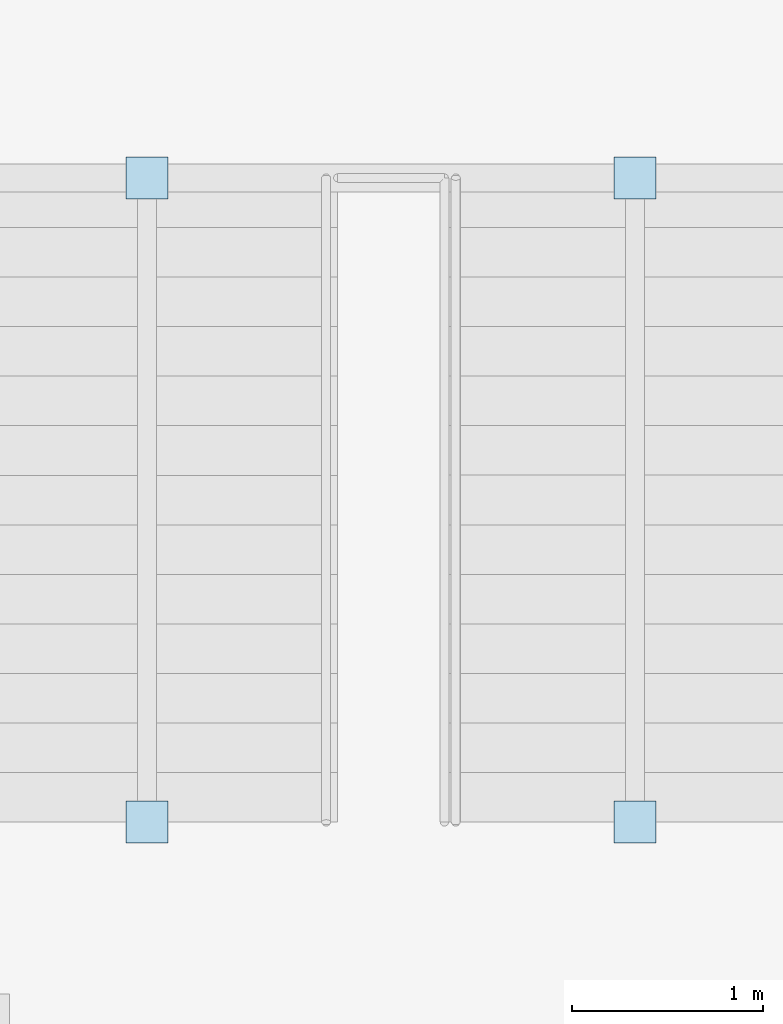
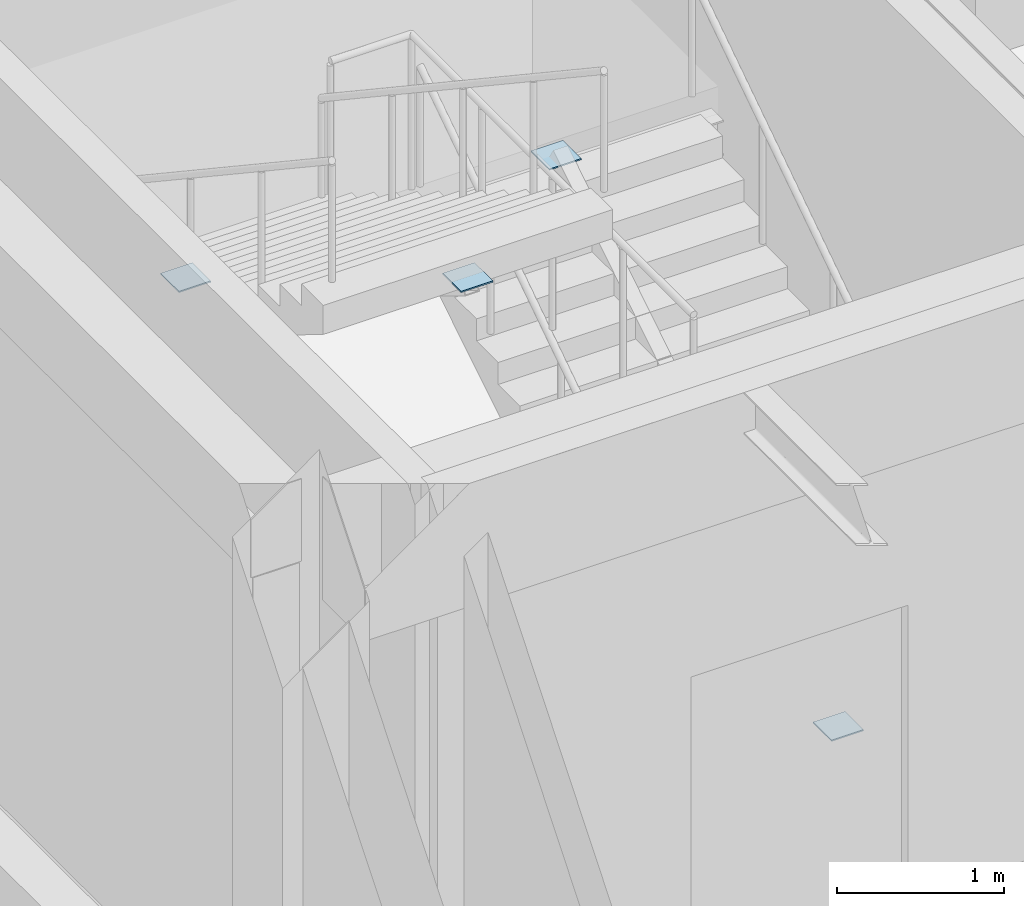
# One storey, part 75 of 93: 4 plates.
"""IFC4 building model written with IfcOpenShell, lengths in metres."""

import ifcopenshell
import ifcopenshell.guid

model = None  # the IFC model being written
_history = None  # IfcOwnerHistory: only IFC2X3 demands one
_inside = {}  # id of a spatial element -> (the spatial element, [elements in it])
_under = {}  # id of a project, library or spatial element -> (it, [spatial elements below it])
_declared = {}  # id of a project -> (the project, [libraries it declares])
_typed = {}  # id of a type object -> (the type object, [elements of that type])
_made_of = {}  # id of a material, layer set ... -> (it, [elements and type objects made of it])


def new_model(schema):
    """Start an empty IFC model of exactly this schema.

    Asked for "IFC4X3", IfcOpenShell would pick the latest addendum, in which some entities
    have other attributes; the version numbers below select the first issue.
    IFC2X3 requires an IfcOwnerHistory on every rooted entity: one is made here for all.
    """
    global model, _history
    if schema == "IFC4X3":
        model = ifcopenshell.file(schema_version=(4, 3, 0, 0))
    else:
        model = ifcopenshell.file(schema=schema)
    _inside.clear()
    _under.clear()
    _declared.clear()
    _typed.clear()
    _made_of.clear()
    _history = None
    if model.schema == "IFC2X3":
        org = make("IfcOrganization", Name="unknown")
        user = make(
            "IfcPersonAndOrganization",
            ThePerson=make("IfcPerson", FamilyName="unknown"),
            TheOrganization=org,
        )
        app = make(
            "IfcApplication",
            ApplicationDeveloper=org,
            Version="unknown",
            ApplicationFullName="unknown",
            ApplicationIdentifier="unknown",
        )
        _history = make(
            "IfcOwnerHistory",
            OwningUser=user,
            OwningApplication=app,
            ChangeAction="ADDED",
            CreationDate=0,
        )
    return model


def make(cls, **values):
    """One entity of the class cls with the attributes given. An attribute that is None is left unset."""
    return model.create_entity(
        cls, **{name: value for name, value in values.items() if value is not None}
    )


def rooted(cls, **values):
    """An entity with a GlobalId (a new one), such as an element, a storey or a relation."""
    return make(cls, GlobalId=ifcopenshell.guid.new(), OwnerHistory=_history, **values)


def si_unit(unit_type, name, prefix=None):
    """IfcSIUnit, for example si_unit("LENGTHUNIT", "METRE", prefix="MILLI")."""
    return make("IfcSIUnit", UnitType=unit_type, Prefix=prefix, Name=name)


def assignment(units):
    """IfcUnitAssignment: the units of a project."""
    return None if units is None else make("IfcUnitAssignment", Units=units)


def point(xyz):
    """IfcCartesianPoint."""
    return None if xyz is None else make("IfcCartesianPoint", Coordinates=xyz)


def direction(xyz):
    """IfcDirection."""
    return None if xyz is None else make("IfcDirection", DirectionRatios=xyz)


def frame(location, z_axis=None, x_axis=None):
    """IfcAxis2Placement3D, a coordinate frame: its origin and axes. An axis left out is left unset."""
    return make(
        "IfcAxis2Placement3D",
        Location=point(location),
        Axis=direction(z_axis),
        RefDirection=direction(x_axis),
    )


def frame_2d(location, x_axis=None):
    """IfcAxis2Placement2D, a coordinate frame in the plane: its origin and x axis."""
    return make(
        "IfcAxis2Placement2D", Location=point(location), RefDirection=direction(x_axis)
    )


def origin():
    """The frame at (0, 0, 0) with its axes left unset."""
    return frame((0.0, 0.0, 0.0))


def origin_2d():
    """The frame at (0, 0) in the plane with its x axis left unset."""
    return frame_2d((0.0, 0.0))


def place(relative_to, where):
    """IfcLocalPlacement: puts the frame where relative to a parent placement (None: the world)."""
    return make(
        "IfcLocalPlacement", PlacementRelTo=relative_to, RelativePlacement=where
    )


def context(
    kind, dimensions, precision=None, world=None, true_north=None, identifier=None
):
    """IfcGeometricRepresentationContext, for example the 3D "Model" context."""
    return make(
        "IfcGeometricRepresentationContext",
        ContextIdentifier=identifier,
        ContextType=kind,
        CoordinateSpaceDimension=dimensions,
        Precision=precision,
        WorldCoordinateSystem=world,
        TrueNorth=true_north,
    )


def subcontext(parent, identifier, kind, view, scale=None):
    """IfcGeometricRepresentationSubContext, for example "Body" below "Model"."""
    return make(
        "IfcGeometricRepresentationSubContext",
        ContextIdentifier=identifier,
        ContextType=kind,
        ParentContext=parent,
        TargetScale=scale,
        TargetView=view,
    )


def project(units=None, contexts=None):
    """IfcProject with its units and contexts."""
    return rooted(
        "IfcProject",
        Name="project",
        RepresentationContexts=contexts,
        UnitsInContext=assignment(units),
    )


def spatial(cls, under=None, at=None, **own):
    """A site, building, storey or space (cls), placed at a placement, below another one or the project."""
    s = rooted(cls, ObjectPlacement=at, **own)
    if under is not None:
        _under.setdefault(under.id(), (under, []))[1].append(s)
    return s


def profile(cls, at=None, kind="AREA", **sizes):
    """A parametric profile (cls). Its sizes go by their IFC names, for example OverallWidth=200.0."""
    return make(cls, ProfileType=kind, Position=at, **sizes)


def rectangle(**sizes):
    """IfcRectangleProfileDef."""
    return profile("IfcRectangleProfileDef", **sizes)


def extrude(swept, where, along, depth):
    """IfcExtrudedAreaSolid: the profile swept, set in the frame where, extruded along a direction by depth."""
    return make(
        "IfcExtrudedAreaSolid",
        SweptArea=swept,
        Position=where,
        ExtrudedDirection=direction(along),
        Depth=depth,
    )


def shape(context_of_items, identifier, shape_type, items):
    """IfcShapeRepresentation: the items that make up one representation, for example the "Body"."""
    return make(
        "IfcShapeRepresentation",
        ContextOfItems=context_of_items,
        RepresentationIdentifier=identifier,
        RepresentationType=shape_type,
        Items=items,
    )


def material(Name=None, Category=None):
    """IfcMaterial."""
    return make("IfcMaterial", Name=Name, Category=Category)


def layer(
    of_material, thickness, ventilated=None, Name=None, Category=None, Priority=None
):
    """IfcMaterialLayer: one layer of a wall or slab, of a material (None: an air gap)."""
    return make(
        "IfcMaterialLayer",
        Material=of_material,
        LayerThickness=thickness,
        IsVentilated=ventilated,
        Name=Name,
        Category=Category,
        Priority=Priority,
    )


def layer_set(layers, Name=None):
    """IfcMaterialLayerSet."""
    return make("IfcMaterialLayerSet", MaterialLayers=layers, LayerSetName=Name)


def made_of(thing, what):
    """Note that an element or type object is made of a material, layer set ...; save() writes the relation."""
    if what is not None:
        _made_of.setdefault(what.id(), (what, []))[1].append(thing)
    return thing


def type_object(cls, material=None, **own):
    """A type object (cls), such as IfcWallType, which elements share."""
    return made_of(rooted(cls, **own), material)


def element(
    cls,
    number,
    at=None,
    inside=None,
    cuts=None,
    type_object=None,
    material=None,
    context=None,
    identifier="Body",
    shape_type=None,
    held_by="IfcProductDefinitionShape",
    body=None,
    shapes=None,
    **own,
):
    """One element of the class cls, such as IfcWall. Its Tag is "e" and its number.

    at: its placement. inside: the storey or other place that contains it. cuts: it is an
    opening in that element (IfcRelVoidsElement). A single representation is given by context,
    identifier, shape_type and body (its items); several are given by shapes. held_by: the class
    of the entity that holds the representations. save() writes the other relations.
    """
    e = rooted(cls, Tag="e%d" % number, ObjectPlacement=at, **own)
    if body is not None:
        shapes = [shape(context, identifier, shape_type, body)]
    if shapes is not None:
        e.Representation = make(held_by, Representations=shapes)
    if inside is not None:
        _inside.setdefault(inside.id(), (inside, []))[1].append(e)
    if cuts is not None:
        rooted(
            "IfcRelVoidsElement", RelatingBuildingElement=cuts, RelatedOpeningElement=e
        )
    if type_object is not None:
        _typed.setdefault(type_object.id(), (type_object, []))[1].append(e)
    return made_of(e, material)


def aggregate(whole, parts):
    """IfcRelAggregates: a whole, such as a stair, and the parts it consists of."""
    return rooted("IfcRelAggregates", RelatingObject=whole, RelatedObjects=parts)


def save(model, path):
    """Write the relations noted so far, then the file.

    IfcRelAggregates (storeys below a building ...), IfcRelContainedInSpatialStructure (elements
    in a storey), IfcRelDefinesByType, IfcRelAssociatesMaterial and IfcRelDeclares: one each for
    every whole, place, type object, material and project.
    """
    for whole, parts in _under.values():
        aggregate(whole, parts)
    for where, things in _inside.values():
        rooted(
            "IfcRelContainedInSpatialStructure",
            RelatedElements=things,
            RelatingStructure=where,
        )
    for kind, things in _typed.values():
        rooted("IfcRelDefinesByType", RelatedObjects=things, RelatingType=kind)
    for what, things in _made_of.values():
        rooted("IfcRelAssociatesMaterial", RelatedObjects=things, RelatingMaterial=what)
    for by, libraries in _declared.values():
        rooted("IfcRelDeclares", RelatingContext=by, RelatedDefinitions=libraries)
    model.write(path)


model = new_model("IFC4")

# Units and contexts
model_context = context("Model", 3, precision=1e-05, world=origin(), true_north=direction((0.0, 1.0)))
body_context = subcontext(model_context, "Body", "Model", "MODEL_VIEW")
ifc_project = project(units=[si_unit("LENGTHUNIT", "METRE"), si_unit("AREAUNIT", "SQUARE_METRE"), si_unit("VOLUMEUNIT", "CUBIC_METRE"), si_unit("PLANEANGLEUNIT", "RADIAN"), si_unit("MASSUNIT", "GRAM", prefix="KILO")], contexts=[model_context])

# Site, building, storey
site_placement = place(None, origin())
site = spatial("IfcSite", under=ifc_project, at=site_placement, CompositionType="ELEMENT")
building_placement = place(site_placement, origin())
building = spatial("IfcBuilding", under=site, at=building_placement, Name="Marnridge Secondary College", CompositionType="ELEMENT")
storey_placement = place(building_placement, origin())
storey = spatial("IfcBuildingStorey", under=building, at=storey_placement, Name="L00", CompositionType="ELEMENT", Elevation=0.0)

# Plates
ifc_material = material(Name="Structural steel plate Grade 350 (AS/NZS 3678, fy = 350 MPa <=12mm, 340 MPa 12-20mm, 330 MPa 20-50mm)", Category="steel")
ifc_layer = layer(ifc_material, 0.010009765625)
ifc_layer_set = layer_set([ifc_layer], Name="PT-CAP-INT")
plate_type = type_object("IfcPlateType", Name="PT-CAP-INT", PredefinedType="SHEET", material=ifc_layer_set)
for number, where, z_axis, x_axis, name in (
    (1, (130.580078125, 114.001708984375, 0.01123046875), (0.0, 0.0, 1.0), (0.0, 1.0, 0.0), "Tube end cap STR-059-EC1"),
    (2, (130.580078125, 117.37841796875, 2.1357421875), (0.0, 0.0, 1.0), (0.0, 1.0, 0.0), "Tube end cap STR-059-EC2"),
    (3, (128.02001953125, 117.37841796875, 2.13818359375), (0.0, 0.0, 1.0), (0.0, -1.0, 0.0), "Tube end cap STR-060-EC1"),
    (4, (128.02001953125, 114.001708984375, 4.18603515625), (0.0, 0.0, 1.0), (0.0, -1.0, 0.0), "Tube end cap STR-060-EC2"),
):
    element("IfcPlate", number, at=place(storey_placement, frame(where, z_axis=z_axis, x_axis=x_axis)), inside=storey, type_object=plate_type, Name=name, PredefinedType="SHEET", context=body_context, shape_type="SweptSolid", body=[
        extrude(rectangle(XDim=0.219970703125, YDim=0.219970703125, at=origin_2d()), origin(), (0.0, 0.0, 1.0), 0.010009765625),
    ])

save(model, "model.ifc")
